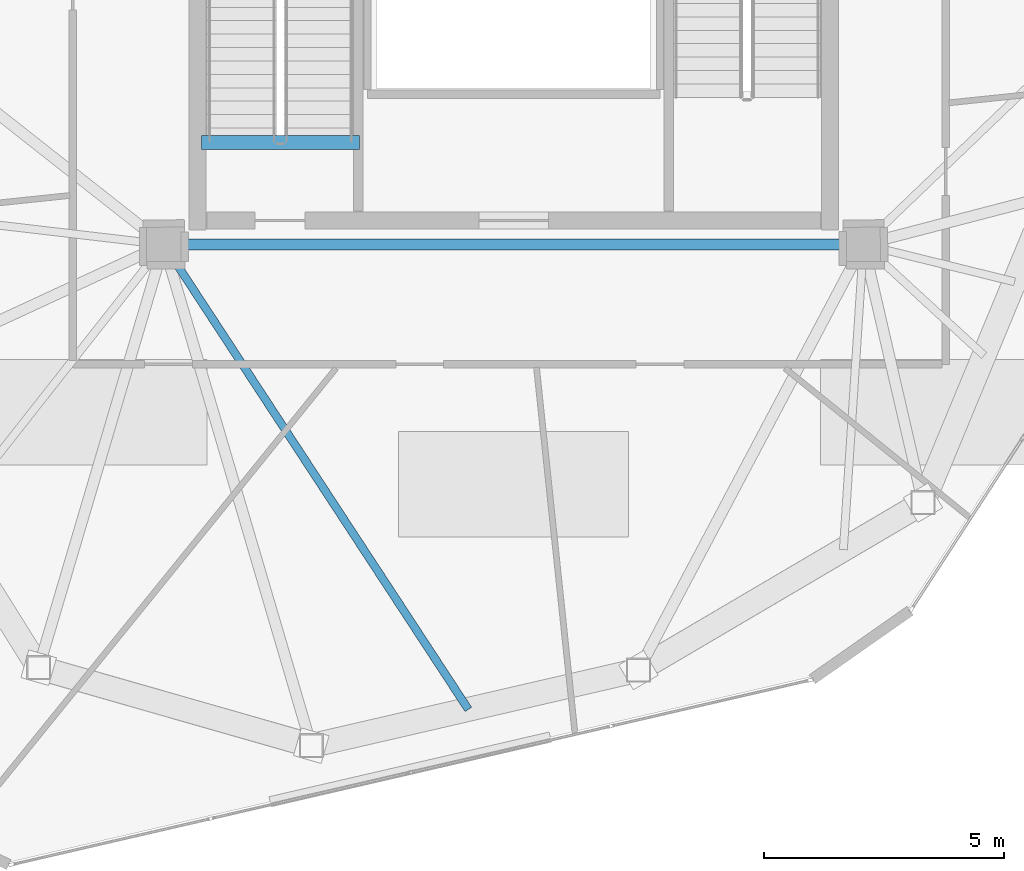
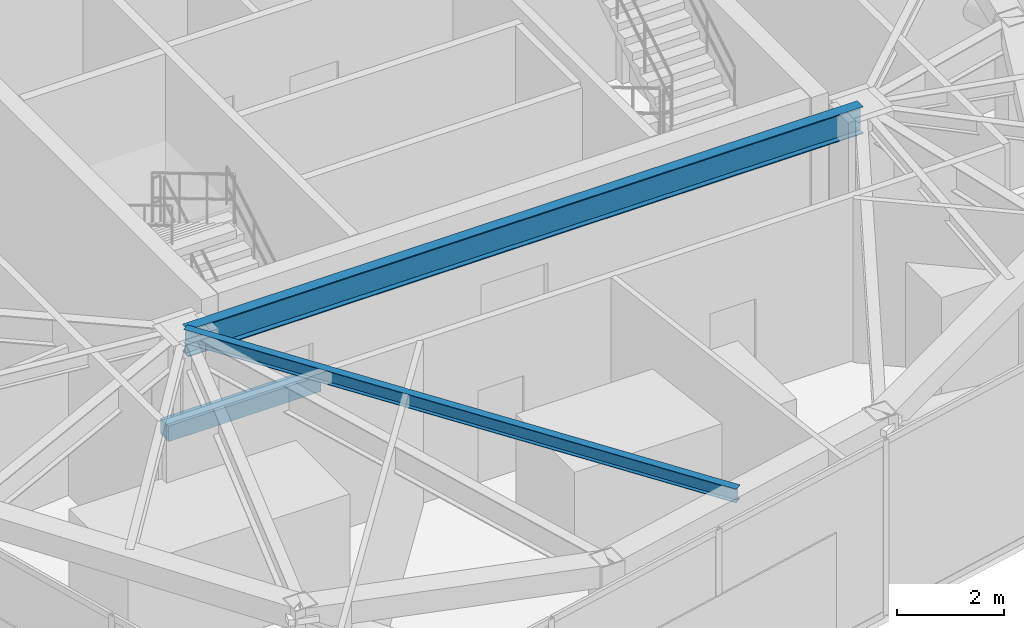
# One storey, part 6 of 21: 3 beams.
"""IFC4 building model written with IfcOpenShell, lengths in metres."""

from ifc_helpers import new_model, si_unit, direction, frame, origin, origin_2d, place, context, subcontext, project, spatial, rectangle, i_section, extrude, material, material_profile, profile_set, type_object, element, save


model = new_model("IFC4")

# Units and contexts
model_context = context("Model", 3, precision=1e-05, world=origin(), true_north=direction((0.0, 1.0)))
body_context = subcontext(model_context, "Body", "Model", "MODEL_VIEW")
ifc_project = project(units=[si_unit("LENGTHUNIT", "METRE"), si_unit("AREAUNIT", "SQUARE_METRE"), si_unit("VOLUMEUNIT", "CUBIC_METRE"), si_unit("PLANEANGLEUNIT", "RADIAN"), si_unit("MASSUNIT", "GRAM", prefix="KILO")], contexts=[model_context])

# Site, building, storey
site_placement = place(None, origin())
site = spatial("IfcSite", under=ifc_project, at=site_placement, CompositionType="ELEMENT")
building_placement = place(site_placement, origin())
building = spatial("IfcBuilding", under=site, at=building_placement, Name="Talar Marvaseh", CompositionType="ELEMENT")
storey_placement = place(building_placement, frame((0.0, 0.0, 304.0)))
storey = spatial("IfcBuildingStorey", under=building, at=storey_placement, Name="L81", CompositionType="ELEMENT", Elevation=304.0)

# Beams
ifc_material_1 = material(Name="Concrete C40/50", Category="concrete")
ifc_material_profile_1 = material_profile(ifc_material_1, rectangle(XDim=0.300048828125, YDim=0.360107421875, at=origin_2d()), Name="RC300x360")
ifc_profile_set_1 = profile_set([ifc_material_profile_1], Name="Concrete C40/50")
beam_type_1 = type_object("IfcBeamType", Name="Concrete Stair Landing Trimmer Beam RC300x360", PredefinedType="SPANDREL", material=ifc_profile_set_1)
beam_1_placement = place(storey_placement, frame((22.780029296875, 27.6298828125, -0.179931640625), z_axis=(-1.0, 0.0, 0.0), x_axis=(0.0, -1.0, 0.0)))
element("IfcBeam", 1, at=beam_1_placement, inside=storey, type_object=beam_type_1, Name="L81 ST-1 Stair Nosing Trimmer Beam", PredefinedType="SPANDREL", context=body_context, shape_type="SweptSolid", body=[
    extrude(rectangle(XDim=0.300048828125, YDim=0.360107421875, at=origin_2d()), origin(), (0.0, 0.0, 1.0), 3.300048828125),
])
ifc_material_2 = material(Name="Steel S355", Category="steel")
ifc_material_profile_2 = material_profile(ifc_material_2, i_section(OverallWidth=0.166015625, OverallDepth=0.31298828125, WebThickness=0.006591796875, FlangeThickness=0.01123046875, at=origin_2d()), Name="W310x45")
ifc_profile_set_2 = profile_set([ifc_material_profile_2], Name="Steel S355")
beam_type_2 = type_object("IfcBeamType", Name="Zone 3 Secondary Floor Joist W310x45", PredefinedType="JOIST", material=ifc_profile_set_2)
beam_2_placement = place(storey_placement, frame((25.053955078125, 15.797119140625, 3.58349609375), z_axis=(-0.547841891952, 0.836581891641, 0.0), x_axis=(-0.836581891641, -0.547841891952, 0.0)))
element("IfcBeam", 2, at=beam_2_placement, inside=storey, type_object=beam_type_2, Name="L81 Zone 3 Secondary Floor Joist W310x45", PredefinedType="JOIST", context=body_context, shape_type="SweptSolid", body=[
    extrude(i_section(OverallWidth=0.166015625, OverallDepth=0.31298828125, WebThickness=0.006591796875, FlangeThickness=0.01123046875, at=origin_2d()), origin(), (0.0, 0.0, 1.0), 11.59814453125),
])
ifc_material_profile_3 = material_profile(ifc_material_2, i_section(OverallWidth=0.22998046875, OverallDepth=0.616943359375, WebThickness=0.01318359375, FlangeThickness=0.022216796875, at=origin_2d()), Name="W610x140")
ifc_profile_set_3 = profile_set([ifc_material_profile_3], Name="Steel S355")
beam_type_3 = type_object("IfcBeamType", Name="Zone 4 Radial Floor Girder W610x140", PredefinedType="BEAM", material=ifc_profile_set_3)
beam_3_placement = place(storey_placement, frame((18.699951171875, 25.5, 3.431396484375), z_axis=(1.0, 0.0, 0.0), x_axis=(0.0, 1.0, 0.0)))
element("IfcBeam", 3, at=beam_3_placement, inside=storey, type_object=beam_type_3, Name="L81 Zone 4 Radial Floor Girder W610x140", PredefinedType="BEAM", context=body_context, shape_type="SweptSolid", body=[
    extrude(i_section(OverallWidth=0.22998046875, OverallDepth=0.616943359375, WebThickness=0.01318359375, FlangeThickness=0.022216796875, at=origin_2d()), origin(), (0.0, 0.0, 1.0), 14.60009765625),
])

save(model, "model.ifc")
